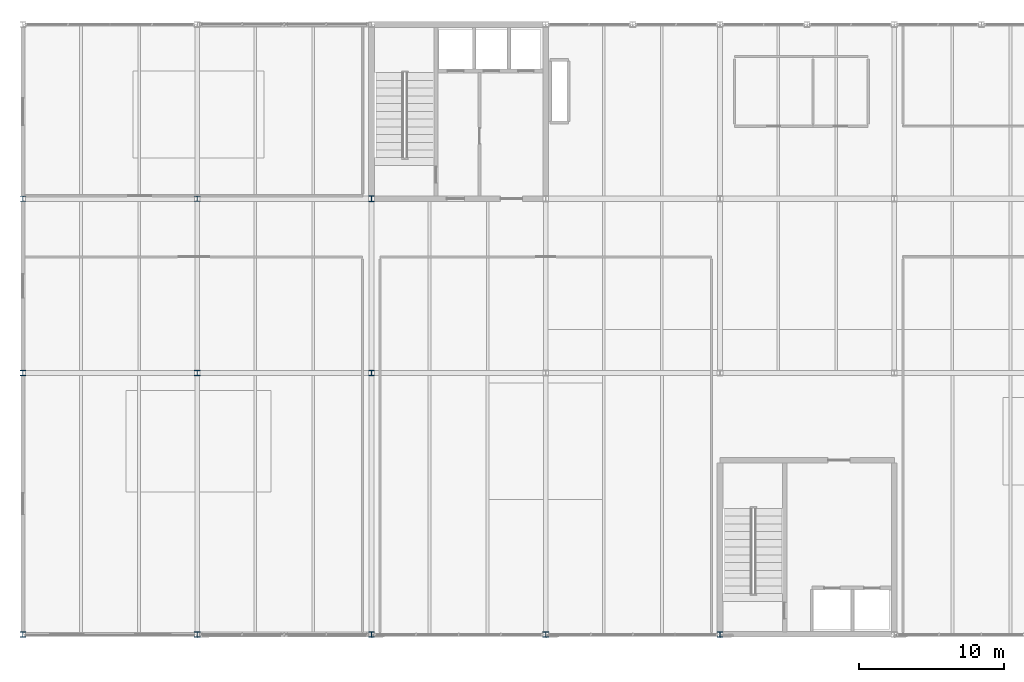
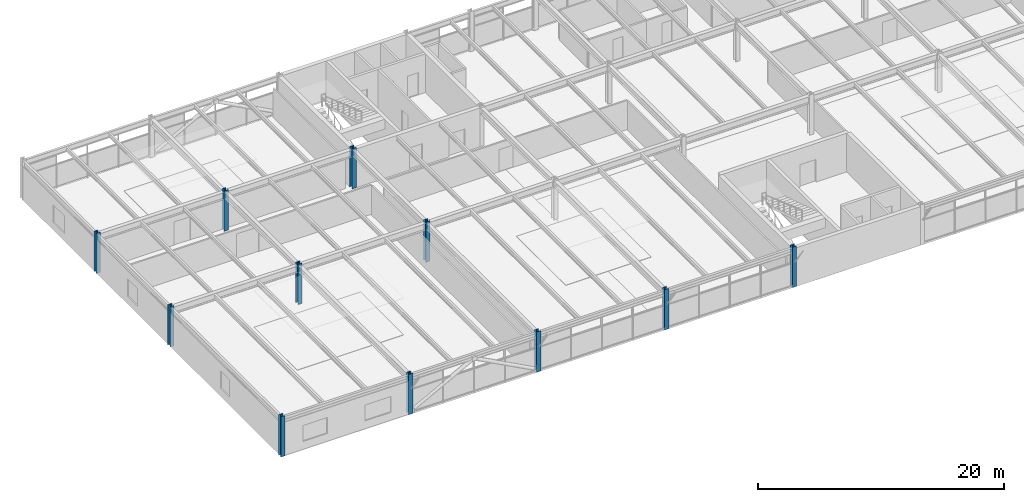
# One storey, part 1 of 49: 11 columns.
"""IFC4 building model written with IfcOpenShell, lengths in metres."""

from ifc_helpers import new_model, si_unit, direction, frame, origin, origin_2d, place, context, subcontext, project, spatial, i_section, extrude, material, material_profile, profile_set, type_object, element, save


model = new_model("IFC4")

# Units and contexts
model_context = context("Model", 3, precision=1e-05, world=origin(), true_north=direction((0.0, 1.0)))
body_context = subcontext(model_context, "Body", "Model", "MODEL_VIEW")
ifc_project = project(units=[si_unit("LENGTHUNIT", "METRE"), si_unit("AREAUNIT", "SQUARE_METRE"), si_unit("VOLUMEUNIT", "CUBIC_METRE"), si_unit("PLANEANGLEUNIT", "RADIAN"), si_unit("MASSUNIT", "GRAM", prefix="KILO")], contexts=[model_context])

# Site, building, storey
site_placement = place(None, origin())
site = spatial("IfcSite", under=ifc_project, at=site_placement, CompositionType="ELEMENT")
building_placement = place(site_placement, origin())
building = spatial("IfcBuilding", under=site, at=building_placement, Name="Girod Span Mobility Hub", CompositionType="ELEMENT")
storey_placement = place(building_placement, frame((0.0, 0.0, 37.60009765625)))
storey = spatial("IfcBuildingStorey", under=building, at=storey_placement, Name="L09", CompositionType="ELEMENT", Elevation=37.60009765625)

# Columns
ifc_material_1 = material(Name="Steel A992 Grade 50", Category="steel")
ifc_material_profile_1 = material_profile(ifc_material_1, i_section(OverallWidth=0.39404296875, OverallDepth=0.375, WebThickness=0.017333984375, FlangeThickness=0.027587890625, FilletRadius=0.01806640625, at=origin_2d()), Name="W14X145")
ifc_profile_set_1 = profile_set([ifc_material_profile_1], Name="Steel A992 Grade 50")
column_type_1 = type_object("IfcColumnType", Name="COL-STL-W14X145", PredefinedType="COLUMN", material=ifc_profile_set_1)
for number, where, z_axis, x_axis, name in (
    (1, (24.0, 27.0, 0.0), (0.0, 0.0, 1.0), (1.0, 0.0, 0.0), "Column 3C L09"),
    (2, (24.0, 45.0, 0.0), (0.0, 0.0, 1.0), (1.0, 0.0, 0.0), "Column 3D L09"),
    (3, (24.0, 57.0, 0.0), (0.0, 0.0, 1.0), (1.0, 0.0, 0.0), "Column 3E L09"),
    (4, (36.0, 27.0, 0.0), (0.0, 0.0, 1.0), (1.0, 0.0, 0.0), "Column 4C L09"),
    (5, (36.0, 45.0, 0.0), (0.0, 0.0, 1.0), (1.0, 0.0, 0.0), "Column 4D L09"),
    (6, (36.0, 57.0, 0.0), (0.0, 0.0, 1.0), (1.0, 0.0, 0.0), "Column 4E L09"),
    (7, (48.0, 27.0, 0.0), (0.0, 0.0, 1.0), (1.0, 0.0, 0.0), "Column 5C L09"),
    (8, (60.0, 27.0, 0.0), (0.0, 0.0, 1.0), (1.0, 0.0, 0.0), "Column 6C L09"),
    (9, (72.0, 27.0, 0.0), (0.0, 0.0, 1.0), (1.0, 0.0, 0.0), "Column 7C L09"),
):
    element("IfcColumn", number, at=place(storey_placement, frame(where, z_axis=z_axis, x_axis=x_axis)), inside=storey, type_object=column_type_1, Name=name, PredefinedType="COLUMN", context=body_context, shape_type="SweptSolid", body=[
        extrude(i_section(OverallWidth=0.39404296875, OverallDepth=0.375, WebThickness=0.017333984375, FlangeThickness=0.027587890625, FilletRadius=0.01806640625, at=origin_2d()), origin(), (0.0, 0.0, 1.0), 4.0),
    ])
ifc_material_2 = material(Name="Steel A992 Grade 50", Category="steel")
ifc_material_profile_2 = material_profile(ifc_material_2, i_section(OverallWidth=0.39892578125, OverallDepth=0.39306640625, WebThickness=0.022705078125, FlangeThickness=0.03662109375, FilletRadius=0.01806640625, at=origin_2d()), Name="W14X193")
ifc_profile_set_2 = profile_set([ifc_material_profile_2], Name="Steel A992 Grade 50")
column_type_2 = type_object("IfcColumnType", Name="COL-STL-W14X193", PredefinedType="COLUMN", material=ifc_profile_set_2)
for number, where, z_axis, x_axis, name in (
    (10, (48.0, 45.0, 0.0), (0.0, 0.0, 1.0), (1.0, 0.0, 0.0), "Column 5D L09"),
    (11, (48.0, 57.0, 0.0), (0.0, 0.0, 1.0), (1.0, 0.0, 0.0), "Column 5E L09"),
):
    element("IfcColumn", number, at=place(storey_placement, frame(where, z_axis=z_axis, x_axis=x_axis)), inside=storey, type_object=column_type_2, Name=name, PredefinedType="COLUMN", context=body_context, shape_type="SweptSolid", body=[
        extrude(i_section(OverallWidth=0.39892578125, OverallDepth=0.39306640625, WebThickness=0.022705078125, FlangeThickness=0.03662109375, FilletRadius=0.01806640625, at=origin_2d()), origin(), (0.0, 0.0, 1.0), 4.0),
    ])

save(model, "model.ifc")
